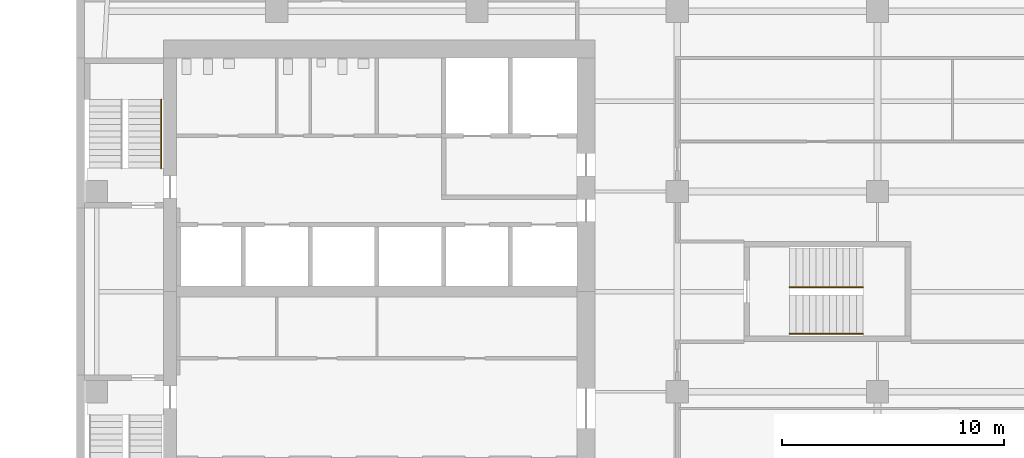
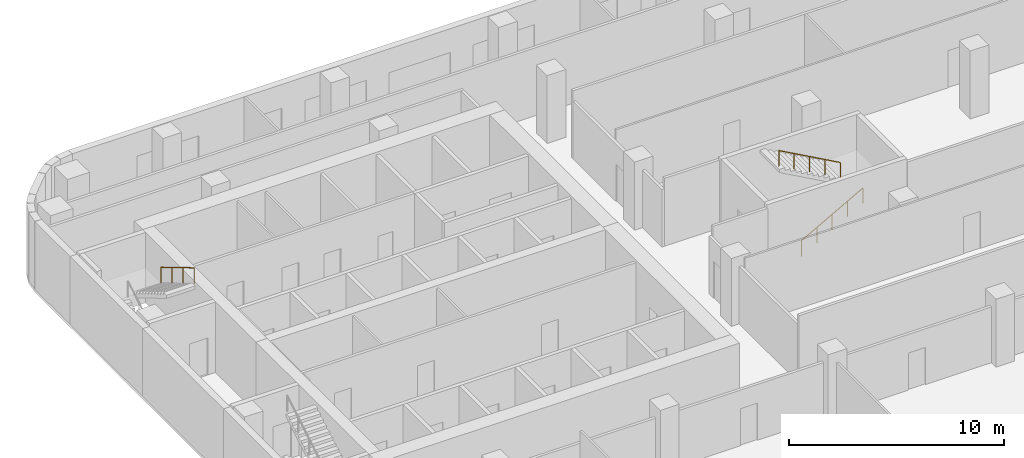
# One storey, part 13 of 14: 3 railings, 2 elements without a shape of their own.
"""IFC4 building model written with IfcOpenShell, lengths in metres."""

from ifc_helpers import new_model, si_unit, direction, frame, origin, origin_2d, place, context, subcontext, project, spatial, circle, extrude, material, type_object, element, aggregate, save


model = new_model("IFC4")

# Units and contexts
model_context = context("Model", 3, precision=1e-05, world=origin(), true_north=direction((0.0, 1.0)))
body_context = subcontext(model_context, "Body", "Model", "MODEL_VIEW")
ifc_project = project(units=[si_unit("LENGTHUNIT", "METRE"), si_unit("AREAUNIT", "SQUARE_METRE"), si_unit("VOLUMEUNIT", "CUBIC_METRE"), si_unit("PLANEANGLEUNIT", "RADIAN"), si_unit("MASSUNIT", "GRAM", prefix="KILO")], contexts=[model_context])

# Site, building, storey
site_placement = place(None, origin())
site = spatial("IfcSite", under=ifc_project, at=site_placement, CompositionType="ELEMENT")
building_placement = place(site_placement, origin())
building = spatial("IfcBuilding", under=site, at=building_placement, Name="Cinnabar Reach Civic Tower", CompositionType="ELEMENT")
storey_placement = place(building_placement, frame((0.0, 0.0, 112.0)))
storey = spatial("IfcBuildingStorey", under=building, at=storey_placement, Name="L26", CompositionType="ELEMENT", Elevation=112.0)

# Stair, railing
ifc_material_1 = material(Name="Concrete C40/50", Category="concrete")
stair_type = type_object("IfcStairType", Name="T1 Exit stair, half-turn", PredefinedType="HALF_TURN_STAIR", material=ifc_material_1)
stair_1_placement = place(storey_placement, origin())
stair_1 = element("IfcStair", 1, at=stair_1_placement, inside=storey, type_object=stair_type, Name="Stair T1-S2", PredefinedType="HALF_TURN_STAIR")
ifc_material_2 = material(Name="Stainless steel tube", Category="steel")
railing_type = type_object("IfcRailingType", Name="T1 Stair handrail, stainless tube 48", PredefinedType="HANDRAIL", material=ifc_material_2)
railing_1_placement = place(storey_placement, frame((3.8, 40.13, 2.1667)))
railing_1 = element("IfcRailing", 2, at=railing_1_placement, type_object=railing_type, Name="T1-S2 handrail 2", PredefinedType="HANDRAIL", context=body_context, shape_type="SweptSolid", body=[
    extrude(circle(Radius=0.024, at=origin_2d()), frame((0.0, 0.0, 0.876), z_axis=(0.0, -0.859296971757, 0.511476992962), x_axis=(1.0, 0.0, 0.0)), (0.0, 0.0, 1.0), 3.5843),
    extrude(circle(Radius=0.021, at=origin_2d()), origin(), (0.0, 0.0, 1.0), 0.852),
    extrude(circle(Radius=0.021, at=origin_2d()), frame((0.0, -1.0267, 0.6111)), (0.0, 0.0, 1.0), 0.852),
    extrude(circle(Radius=0.021, at=origin_2d()), frame((0.0, -2.0533, 1.2222)), (0.0, 0.0, 1.0), 0.852),
    extrude(circle(Radius=0.021, at=origin_2d()), frame((0.0, -3.08, 1.8333)), (0.0, 0.0, 1.0), 0.852),
])
aggregate(stair_1, [railing_1])

# Stair, railings
stair_2_placement = place(storey_placement, origin())
stair_2 = element("IfcStair", 3, at=stair_2_placement, inside=storey, type_object=stair_type, Name="Stair T1-S3", PredefinedType="HALF_TURN_STAIR")
railing_2_placement = place(storey_placement, frame((32.05, 29.6, 0.1667)))
railing_2 = element("IfcRailing", 4, at=railing_2_placement, type_object=railing_type, Name="T1-S3 handrail 1", PredefinedType="HANDRAIL", context=body_context, shape_type="SweptSolid", body=[
    extrude(circle(Radius=0.024, at=origin_2d()), frame((0.0, 0.0, 0.876), z_axis=(0.874161024642, 0.0, 0.485636183781), x_axis=(0.0, 1.0, 0.0)), (0.0, 0.0, 1.0), 3.775),
    extrude(circle(Radius=0.021, at=origin_2d()), origin(), (0.0, 0.0, 1.0), 0.852),
    extrude(circle(Radius=0.021, at=origin_2d()), frame((0.825, 0.0, 0.4583)), (0.0, 0.0, 1.0), 0.852),
    extrude(circle(Radius=0.021, at=origin_2d()), frame((1.65, 0.0, 0.9166)), (0.0, 0.0, 1.0), 0.852),
    extrude(circle(Radius=0.021, at=origin_2d()), frame((2.475, 0.0, 1.375)), (0.0, 0.0, 1.0), 0.852),
    extrude(circle(Radius=0.021, at=origin_2d()), frame((3.3, 0.0, 1.8333)), (0.0, 0.0, 1.0), 0.852),
])
railing_3_placement = place(storey_placement, frame((35.35, 31.7, 2.1667)))
railing_3 = element("IfcRailing", 5, at=railing_3_placement, type_object=railing_type, Name="T1-S3 handrail 2", PredefinedType="HANDRAIL", context=body_context, shape_type="SweptSolid", body=[
    extrude(circle(Radius=0.024, at=origin_2d()), frame((0.0, 0.0, 0.876), z_axis=(-0.874161024642, 0.0, 0.485636183781), x_axis=(0.0, -1.0, 0.0)), (0.0, 0.0, 1.0), 3.775),
    extrude(circle(Radius=0.021, at=origin_2d()), origin(), (0.0, 0.0, 1.0), 0.852),
    extrude(circle(Radius=0.021, at=origin_2d()), frame((-0.825, 0.0, 0.4583)), (0.0, 0.0, 1.0), 0.852),
    extrude(circle(Radius=0.021, at=origin_2d()), frame((-1.65, 0.0, 0.9166)), (0.0, 0.0, 1.0), 0.852),
    extrude(circle(Radius=0.021, at=origin_2d()), frame((-2.475, 0.0, 1.375)), (0.0, 0.0, 1.0), 0.852),
    extrude(circle(Radius=0.021, at=origin_2d()), frame((-3.3, 0.0, 1.8333)), (0.0, 0.0, 1.0), 0.852),
])
aggregate(stair_2, [railing_2, railing_3])

save(model, "model.ifc")
